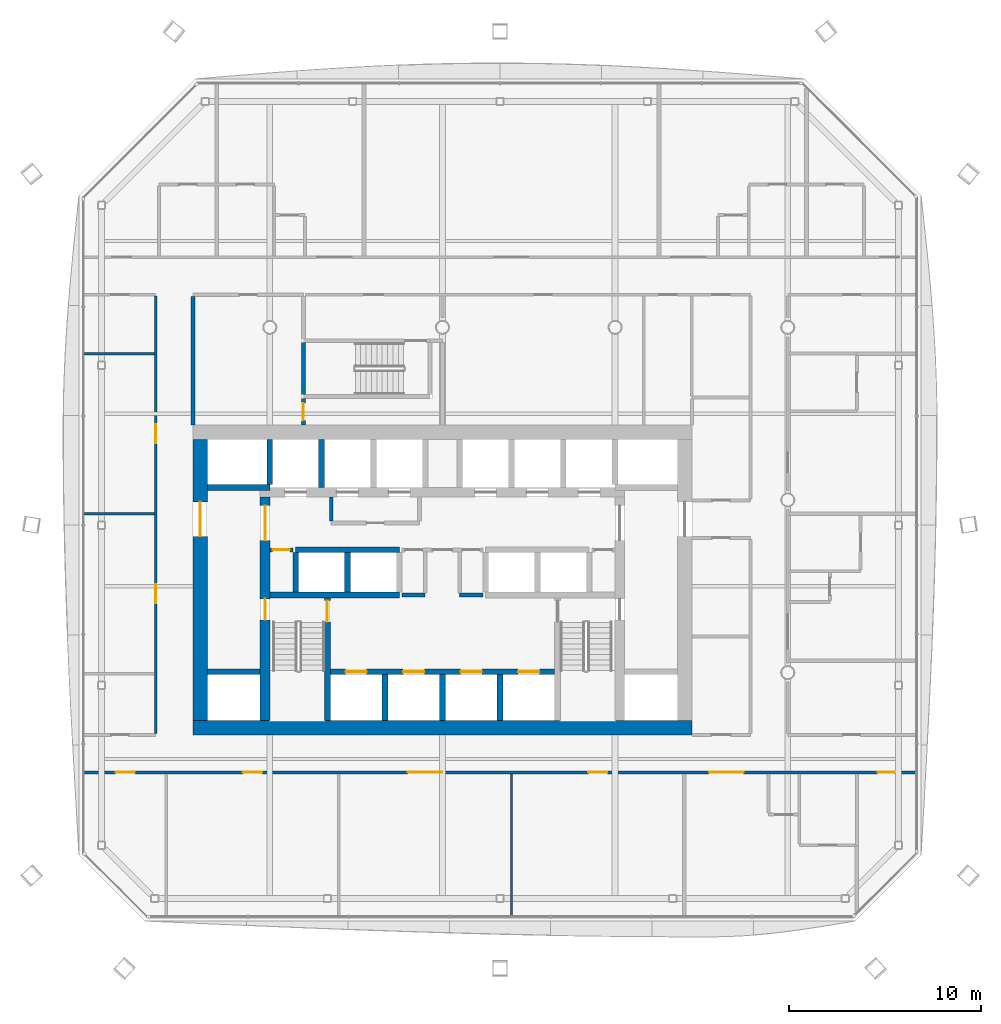
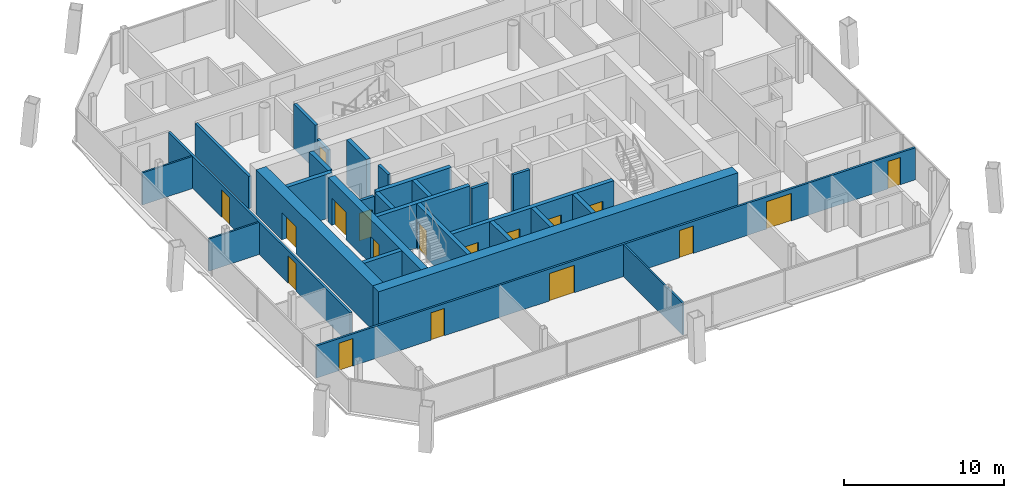
# One storey, part 11 of 17: 28 walls, 18 doors, 18 openings.
"""IFC4 building model written with IfcOpenShell, lengths in metres."""

from ifc_helpers import new_model, si_unit, direction, frame, frame_2d, origin, place, context, subcontext, project, spatial, rectangle, extrude, material, layer, layer_set, type_object, element, fill, save


model = new_model("IFC4")

# Units and contexts
model_context = context("Model", 3, precision=1e-05, world=origin(), true_north=direction((0.0, 1.0)))
body_context = subcontext(model_context, "Body", "Model", "MODEL_VIEW")
ifc_project = project(units=[si_unit("LENGTHUNIT", "METRE"), si_unit("AREAUNIT", "SQUARE_METRE"), si_unit("VOLUMEUNIT", "CUBIC_METRE"), si_unit("PLANEANGLEUNIT", "RADIAN"), si_unit("MASSUNIT", "GRAM", prefix="KILO")], contexts=[model_context])

# Site, building, storey
site_placement = place(None, origin())
site = spatial("IfcSite", under=ifc_project, at=site_placement, CompositionType="ELEMENT")
building_placement = place(site_placement, origin())
building = spatial("IfcBuilding", under=site, at=building_placement, Name="Tskaro Facet Tower", CompositionType="ELEMENT")
storey_placement = place(building_placement, frame((0.0, 0.0, 158.89990234375)))
storey = spatial("IfcBuildingStorey", under=building, at=storey_placement, Name="L39", CompositionType="ELEMENT", Elevation=158.89990234375)

# Wall
ifc_material_1 = material(Name="Concrete C60/75", Category="concrete")
ifc_layer_1 = layer(ifc_material_1, 0.300048828125, Name="Concrete C60/75")
ifc_layer_set_1 = layer_set([ifc_layer_1], Name="Concrete C60/75")
wall_type_1 = type_object("IfcWallType", Name="CORE-SHAFT", PredefinedType="SHEAR", material=ifc_layer_set_1)
wall_1_placement = place(storey_placement, frame((-12.25, -8.949951171875, 0.0), z_axis=(0.0, 0.0, 1.0), x_axis=(1.0, 0.0, 0.0)))
element("IfcWall", 1, at=wall_1_placement, inside=storey, type_object=wall_type_1, Name="Shaft wall W008", PredefinedType="SHEAR", context=body_context, shape_type="SweptSolid", body=[
    extrude(rectangle(XDim=2.75, YDim=0.300048828125, at=frame_2d((1.375, 0.0))), origin(), (0.0, 0.0, 1.0), 3.400146484375),
])

# Wall, openings, doors
wall_2_placement = place(storey_placement, frame((-5.85009765625, -8.949951171875, 0.0), z_axis=(0.0, 0.0, 1.0), x_axis=(1.0, 0.0, 0.0)))
wall_2 = element("IfcWall", 2, at=wall_2_placement, inside=storey, type_object=wall_type_1, Name="Shaft wall W009", PredefinedType="SHEAR", context=body_context, shape_type="SweptSolid", body=[
    extrude(rectangle(XDim=11.7001953125, YDim=0.300048828125, at=frame_2d((5.85009765625, 0.0))), origin(), (0.0, 0.0, 1.0), 3.400146484375),
])
opening_1_placement = place(wall_2_placement, frame((0.800048828125, 0.0, 0.0)))
opening_1 = element("IfcOpeningElement", 3, at=opening_1_placement, cuts=wall_2, Name="Opening LD-FF1", PredefinedType="OPENING", context=body_context, shape_type="SweptSolid", body=[
    extrude(rectangle(XDim=1.10009765625, YDim=2.10009765625, at=frame_2d((0.550048828125, 1.050048828125))), frame((0.0, 0.159912109375, 0.0), z_axis=(0.0, -1.0, 0.0), x_axis=(1.0, 0.0, 0.0)), (0.0, 0.0, 1.0), 0.320068359375),
])
opening_2_placement = place(wall_2_placement, frame((3.800048828125, 0.0, 0.0)))
opening_2 = element("IfcOpeningElement", 4, at=opening_2_placement, cuts=wall_2, Name="Opening LD-FF2", PredefinedType="OPENING", context=body_context, shape_type="SweptSolid", body=[
    extrude(rectangle(XDim=1.10009765625, YDim=2.10009765625, at=frame_2d((0.550048828125, 1.050048828125))), frame((0.0, 0.159912109375, 0.0), z_axis=(0.0, -1.0, 0.0), x_axis=(1.0, 0.0, 0.0)), (0.0, 0.0, 1.0), 0.320068359375),
])
opening_3_placement = place(wall_2_placement, frame((6.800048828125, 0.0, 0.0)))
opening_3 = element("IfcOpeningElement", 5, at=opening_3_placement, cuts=wall_2, Name="Opening LD-SV1", PredefinedType="OPENING", context=body_context, shape_type="SweptSolid", body=[
    extrude(rectangle(XDim=1.10009765625, YDim=2.10009765625, at=frame_2d((0.550048828125, 1.050048828125))), frame((0.0, 0.159912109375, 0.0), z_axis=(0.0, -1.0, 0.0), x_axis=(1.0, 0.0, 0.0)), (0.0, 0.0, 1.0), 0.320068359375),
])
opening_4_placement = place(wall_2_placement, frame((9.800048828125, 0.0, 0.0)))
opening_4 = element("IfcOpeningElement", 6, at=opening_4_placement, cuts=wall_2, Name="Opening LD-SV2", PredefinedType="OPENING", context=body_context, shape_type="SweptSolid", body=[
    extrude(rectangle(XDim=1.10009765625, YDim=2.10009765625, at=frame_2d((0.550048828125, 1.050048828125))), frame((0.0, 0.159912109375, 0.0), z_axis=(0.0, -1.0, 0.0), x_axis=(1.0, 0.0, 0.0)), (0.0, 0.0, 1.0), 0.320068359375),
])
ifc_material_2 = material(Name="Stainless steel", Category="steel")
door_type_1 = type_object("IfcDoorType", Name="D-LANDING", OperationType="NOTDEFINED", PredefinedType="DOOR", material=ifc_material_2)
door_1_placement = place(opening_1_placement, origin())
door_1 = element("IfcDoor", 7, at=door_1_placement, inside=storey, type_object=door_type_1, Name="Landing door FF1", OperationType="DOUBLE_DOOR_SLIDING", OverallHeight=2.10009765625, OverallWidth=1.10009765625, PredefinedType="DOOR", context=body_context, shape_type="SweptSolid", body=[
    extrude(rectangle(XDim=1.10009765625, YDim=2.10009765625, at=frame_2d((0.550048828125, 1.050048828125))), frame((0.0, 0.02490234375, 0.0), z_axis=(0.0, -1.0, 0.0), x_axis=(1.0, 0.0, 0.0)), (0.0, 0.0, 1.0), 0.050048828125),
])
fill(opening_1, door_1)
door_2_placement = place(opening_2_placement, origin())
door_2 = element("IfcDoor", 8, at=door_2_placement, inside=storey, type_object=door_type_1, Name="Landing door FF2", OperationType="DOUBLE_DOOR_SLIDING", OverallHeight=2.10009765625, OverallWidth=1.10009765625, PredefinedType="DOOR", context=body_context, shape_type="SweptSolid", body=[
    extrude(rectangle(XDim=1.10009765625, YDim=2.10009765625, at=frame_2d((0.550048828125, 1.050048828125))), frame((0.0, 0.02490234375, 0.0), z_axis=(0.0, -1.0, 0.0), x_axis=(1.0, 0.0, 0.0)), (0.0, 0.0, 1.0), 0.050048828125),
])
fill(opening_2, door_2)
door_3_placement = place(opening_3_placement, origin())
door_3 = element("IfcDoor", 9, at=door_3_placement, inside=storey, type_object=door_type_1, Name="Landing door SV1", OperationType="DOUBLE_DOOR_SLIDING", OverallHeight=2.10009765625, OverallWidth=1.10009765625, PredefinedType="DOOR", context=body_context, shape_type="SweptSolid", body=[
    extrude(rectangle(XDim=1.10009765625, YDim=2.10009765625, at=frame_2d((0.550048828125, 1.050048828125))), frame((0.0, 0.02490234375, 0.0), z_axis=(0.0, -1.0, 0.0), x_axis=(1.0, 0.0, 0.0)), (0.0, 0.0, 1.0), 0.050048828125),
])
fill(opening_3, door_3)
door_4_placement = place(opening_4_placement, origin())
door_4 = element("IfcDoor", 10, at=door_4_placement, inside=storey, type_object=door_type_1, Name="Landing door SV2", OperationType="DOUBLE_DOOR_SLIDING", OverallHeight=2.10009765625, OverallWidth=1.10009765625, PredefinedType="DOOR", context=body_context, shape_type="SweptSolid", body=[
    extrude(rectangle(XDim=1.10009765625, YDim=2.10009765625, at=frame_2d((0.550048828125, 1.050048828125))), frame((0.0, 0.02490234375, 0.0), z_axis=(0.0, -1.0, 0.0), x_axis=(1.0, 0.0, 0.0)), (0.0, 0.0, 1.0), 0.050048828125),
])
fill(opening_4, door_4)

# Walls
wall_3_placement = place(storey_placement, frame((-9.0, -4.949951171875, 0.0), z_axis=(0.0, 0.0, 1.0), x_axis=(1.0, 0.0, 0.0)))
element("IfcWall", 11, at=wall_3_placement, inside=storey, type_object=wall_type_1, Name="Shaft wall W014", PredefinedType="SHEAR", context=body_context, shape_type="SweptSolid", body=[
    extrude(rectangle(XDim=6.75, YDim=0.300048828125, at=frame_2d((3.375, 0.0))), origin(), (0.0, 0.0, 1.0), 3.400146484375),
])
wall_4_placement = place(storey_placement, frame((-7.64990234375, -2.60009765625, 0.0), z_axis=(0.0, 0.0, 1.0), x_axis=(1.0, 0.0, 0.0)))
element("IfcWall", 12, at=wall_4_placement, inside=storey, type_object=wall_type_1, Name="Shaft wall W020", PredefinedType="SHEAR", context=body_context, shape_type="SweptSolid", body=[
    extrude(rectangle(XDim=5.39990234375, YDim=0.300048828125, at=frame_2d((2.699951171875, 0.0))), origin(), (0.0, 0.0, 1.0), 3.400146484375),
])
wall_5_placement = place(storey_placement, frame((-9.0, 0.64990234375, 0.0), z_axis=(0.0, 0.0, 1.0), x_axis=(-1.0, 0.0, 0.0)))
element("IfcWall", 13, at=wall_5_placement, inside=storey, type_object=wall_type_1, Name="Shaft wall W029", PredefinedType="SHEAR", context=body_context, shape_type="SweptSolid", body=[
    extrude(rectangle(XDim=3.25, YDim=0.300048828125, at=frame_2d((1.625, 0.0))), origin(), (0.0, 0.0, 1.0), 3.400146484375),
])
wall_6_placement = place(storey_placement, frame((-9.0, 0.800048828125, 0.0), z_axis=(0.0, 0.0, 1.0), x_axis=(0.0, 1.0, 0.0)))
element("IfcWall", 14, at=wall_6_placement, inside=storey, type_object=wall_type_1, Name="Shaft wall W053", PredefinedType="SHEAR", context=body_context, shape_type="SweptSolid", body=[
    extrude(rectangle(XDim=2.349853515625, YDim=0.300048828125, at=frame_2d((1.1748046875, 0.0))), origin(), (0.0, 0.0, 1.0), 3.400146484375),
])
wall_7_placement = place(storey_placement, frame((-7.64990234375, -4.800048828125, 0.0), z_axis=(0.0, 0.0, 1.0), x_axis=(0.0, 1.0, 0.0)))
element("IfcWall", 15, at=wall_7_placement, inside=storey, type_object=wall_type_1, Name="Shaft wall W055", PredefinedType="SHEAR", context=body_context, shape_type="SweptSolid", body=[
    extrude(rectangle(XDim=2.050048828125, YDim=0.300048828125, at=frame_2d((1.02490234375, 0.0))), origin(), (0.0, 0.0, 1.0), 3.400146484375),
])
wall_8_placement = place(storey_placement, frame((-6.300048828125, 0.64990234375, 0.0), z_axis=(0.0, 0.0, 1.0), x_axis=(0.0, 1.0, 0.0)))
element("IfcWall", 16, at=wall_8_placement, inside=storey, type_object=wall_type_1, Name="Shaft wall W060", PredefinedType="SHEAR", context=body_context, shape_type="SweptSolid", body=[
    extrude(rectangle(XDim=2.5, YDim=0.300048828125, at=frame_2d((1.25, 0.0))), origin(), (0.0, 0.0, 1.0), 3.400146484375),
])

# Wall, opening, door
wall_9_placement = place(storey_placement, frame((-6.0, -11.5, 0.0), z_axis=(0.0, 0.0, 1.0), x_axis=(0.0, 1.0, 0.0)))
wall_9 = element("IfcWall", 17, at=wall_9_placement, inside=storey, type_object=wall_type_1, Name="Shaft wall W061", PredefinedType="SHEAR", context=body_context, shape_type="SweptSolid", body=[
    extrude(rectangle(XDim=6.39990234375, YDim=0.300048828125, at=frame_2d((3.199951171875, 0.0))), origin(), (0.0, 0.0, 1.0), 3.400146484375),
])
opening_5_placement = place(wall_9_placement, frame((5.14990234375, 0.0, 0.0)))
opening_5 = element("IfcOpeningElement", 18, at=opening_5_placement, cuts=wall_9, Name="Opening ST-1-D1", PredefinedType="OPENING", context=body_context, shape_type="SweptSolid", body=[
    extrude(rectangle(XDim=1.10009765625, YDim=2.10009765625, at=frame_2d((0.550048828125, 1.050048828125))), frame((0.0, 0.159912109375, 0.0), z_axis=(0.0, -1.0, 0.0), x_axis=(1.0, 0.0, 0.0)), (0.0, 0.0, 1.0), 0.320068359375),
])
ifc_material_3 = material(Name="Steel", Category="steel")
door_type_2 = type_object("IfcDoorType", Name="D-STAIR", OperationType="NOTDEFINED", PredefinedType="DOOR", material=ifc_material_3)
door_5_placement = place(opening_5_placement, origin())
door_5 = element("IfcDoor", 19, at=door_5_placement, inside=storey, type_object=door_type_2, Name="Stair door 1", OperationType="SINGLE_SWING_LEFT", OverallHeight=2.10009765625, OverallWidth=1.10009765625, PredefinedType="DOOR", context=body_context, shape_type="SweptSolid", body=[
    extrude(rectangle(XDim=1.10009765625, YDim=2.10009765625, at=frame_2d((0.550048828125, 1.050048828125))), frame((0.0, 0.02490234375, 0.0), z_axis=(0.0, -1.0, 0.0), x_axis=(1.0, 0.0, 0.0)), (0.0, 0.0, 1.0), 0.050048828125),
])
fill(opening_5, door_5)

# Walls
wall_10_placement = place(storey_placement, frame((-4.949951171875, -4.800048828125, 0.0), z_axis=(0.0, 0.0, 1.0), x_axis=(0.0, 1.0, 0.0)))
element("IfcWall", 20, at=wall_10_placement, inside=storey, type_object=wall_type_1, Name="Shaft wall W064", PredefinedType="SHEAR", context=body_context, shape_type="SweptSolid", body=[
    extrude(rectangle(XDim=2.050048828125, YDim=0.300048828125, at=frame_2d((1.02490234375, 0.0))), origin(), (0.0, 0.0, 1.0), 3.400146484375),
])
for number, where, z_axis, x_axis, name in (
    (21, (-3.0, -11.5, 0.0), (0.0, 0.0, 1.0), (0.0, 1.0, 0.0), "Shaft wall W067"),
    (22, (0.0, -11.5, 0.0), (0.0, 0.0, 1.0), (0.0, 1.0, 0.0), "Shaft wall W073"),
    (23, (3.0, -11.5, 0.0), (0.0, 0.0, 1.0), (0.0, 1.0, 0.0), "Shaft wall W079"),
):
    element("IfcWall", number, at=place(storey_placement, frame(where, z_axis=z_axis, x_axis=x_axis)), inside=storey, type_object=wall_type_1, Name=name, PredefinedType="SHEAR", context=body_context, shape_type="SweptSolid", body=[
        extrude(rectangle(XDim=2.39990234375, YDim=0.300048828125, at=frame_2d((1.199951171875, 0.0))), origin(), (0.0, 0.0, 1.0), 3.400146484375),
    ])
ifc_material_4 = material(Name="Concrete C20/25", Category="concrete")
ifc_layer_2 = layer(ifc_material_4, 0.199951171875, Name="Concrete C20/25")
ifc_layer_set_2 = layer_set([ifc_layer_2], Name="Concrete C20/25")
wall_type_2 = type_object("IfcWallType", Name="CORE-WALL", PredefinedType="SOLIDWALL", material=ifc_layer_set_2)
for number, where, z_axis, x_axis, name in (
    (24, (-2.10009765625, -4.949951171875, 0.0), (0.0, 0.0, 1.0), (1.0, 0.0, 0.0), "Core room wall W015"),
    (25, (0.89990234375, -4.949951171875, 0.0), (0.0, 0.0, 1.0), (1.0, 0.0, 0.0), "Core room wall W016"),
):
    element("IfcWall", number, at=place(storey_placement, frame(where, z_axis=z_axis, x_axis=x_axis)), inside=storey, type_object=wall_type_2, Name=name, PredefinedType="SOLIDWALL", context=body_context, shape_type="SweptSolid", body=[
        extrude(rectangle(XDim=1.2001953125, YDim=0.199951171875, at=frame_2d((0.60009765625, 0.0))), origin(), (0.0, 0.0, 1.0), 3.10009765625),
    ])

# Wall, opening, door
wall_11_placement = place(storey_placement, frame((-7.800048828125, -2.60009765625, 0.0), z_axis=(0.0, 0.0, 1.0), x_axis=(-1.0, 0.0, 0.0)))
wall_11 = element("IfcWall", 26, at=wall_11_placement, inside=storey, type_object=wall_type_2, Name="Core room wall W019", PredefinedType="SOLIDWALL", context=body_context, shape_type="SweptSolid", body=[
    extrude(rectangle(XDim=1.199951171875, YDim=0.199951171875, at=frame_2d((0.60009765625, 0.0))), origin(), (0.0, 0.0, 1.0), 3.10009765625),
])
opening_6_placement = place(wall_11_placement, frame((0.14990234375, 0.0, 0.0)))
opening_6 = element("IfcOpeningElement", 27, at=opening_6_placement, cuts=wall_11, Name="Opening T11p-D17", PredefinedType="OPENING", context=body_context, shape_type="SweptSolid", body=[
    extrude(rectangle(XDim=0.89990234375, YDim=2.10009765625, at=frame_2d((0.449951171875, 1.050048828125))), frame((0.0, 0.10986328125, 0.0), z_axis=(0.0, -1.0, 0.0), x_axis=(1.0, 0.0, 0.0)), (0.0, 0.0, 1.0), 0.219970703125),
])
ifc_material_5 = material(Name="Timber", Category="wood")
door_type_3 = type_object("IfcDoorType", Name="D-ROOM", OperationType="NOTDEFINED", PredefinedType="DOOR", material=ifc_material_5)
door_6_placement = place(opening_6_placement, origin())
door_6 = element("IfcDoor", 28, at=door_6_placement, inside=storey, type_object=door_type_3, Name="Door T11p-D17", OperationType="SINGLE_SWING_RIGHT", OverallHeight=2.10009765625, OverallWidth=0.89990234375, PredefinedType="DOOR", context=body_context, shape_type="SweptSolid", body=[
    extrude(rectangle(XDim=0.89990234375, YDim=2.10009765625, at=frame_2d((0.449951171875, 1.050048828125))), frame((0.0, 0.02490234375, 0.0), z_axis=(0.0, -1.0, 0.0), x_axis=(1.0, 0.0, 0.0)), (0.0, 0.0, 1.0), 0.050048828125),
])
fill(opening_6, door_6)

# Wall
wall_12_placement = place(storey_placement, frame((-5.800048828125, -1.10009765625, 0.0), z_axis=(0.0, 0.0, 1.0), x_axis=(0.0, 1.0, 0.0)))
element("IfcWall", 29, at=wall_12_placement, inside=storey, type_object=wall_type_2, Name="Core room wall W062", PredefinedType="SOLIDWALL", context=body_context, shape_type="SweptSolid", body=[
    extrude(rectangle(XDim=1.25, YDim=0.199951171875, at=frame_2d((0.625, 0.0))), origin(), (0.0, 0.0, 1.0), 3.10009765625),
])

# Wall, openings, doors
ifc_material_6 = material(Name="Concrete C40/50", Category="concrete")
ifc_layer_3 = layer(ifc_material_6, 0.5, Name="Concrete C40/50")
ifc_layer_set_3 = layer_set([ifc_layer_3], Name="Concrete C40/50")
wall_type_3 = type_object("IfcWallType", Name="Core wall 500", PredefinedType="SHEAR", material=ifc_layer_set_3)
wall_13_placement = place(storey_placement, frame((-9.25, -11.5, 0.0), z_axis=(0.0, 0.0, 1.0), x_axis=(0.0, 1.0, 0.0)))
wall_13 = element("IfcWall", 30, at=wall_13_placement, inside=storey, type_object=wall_type_3, Name="Core wall CW-Z3W", PredefinedType="SHEAR", context=body_context, shape_type="SweptSolid", body=[
    extrude(rectangle(XDim=11.64990234375, YDim=0.5, at=frame_2d((5.824951171875, 0.0))), origin(), (0.0, 0.0, 1.0), 3.400146484375),
])
opening_7_placement = place(wall_13_placement, frame((9.39990234375, 0.0, 0.0)))
opening_7 = element("IfcOpeningElement", 31, at=opening_7_placement, cuts=wall_13, Name="Opening T11p-D23", PredefinedType="OPENING", context=body_context, shape_type="SweptSolid", body=[
    extrude(rectangle(XDim=1.800048828125, YDim=2.10009765625, at=frame_2d((0.89990234375, 1.050048828125))), frame((0.0, 0.260009765625, 0.0), z_axis=(0.0, -1.0, 0.0), x_axis=(1.0, 0.0, 0.0)), (0.0, 0.0, 1.0), 0.52001953125),
])
opening_8_placement = place(wall_13_placement, frame((5.25, 0.0, 0.0)))
opening_8 = element("IfcOpeningElement", 32, at=opening_8_placement, cuts=wall_13, Name="Opening ST-1-D2", PredefinedType="OPENING", context=body_context, shape_type="SweptSolid", body=[
    extrude(rectangle(XDim=1.10009765625, YDim=2.10009765625, at=frame_2d((0.550048828125, 1.050048828125))), frame((0.0, 0.260009765625, 0.0), z_axis=(0.0, -1.0, 0.0), x_axis=(1.0, 0.0, 0.0)), (0.0, 0.0, 1.0), 0.52001953125),
])
door_type_4 = type_object("IfcDoorType", Name="D-CORE-PAIR", OperationType="NOTDEFINED", PredefinedType="DOOR", material=ifc_material_3)
door_7_placement = place(opening_7_placement, origin())
door_7 = element("IfcDoor", 33, at=door_7_placement, inside=storey, type_object=door_type_4, Name="Door T11p-D23", OperationType="DOUBLE_DOOR_SINGLE_SWING", OverallHeight=2.10009765625, OverallWidth=1.800048828125, PredefinedType="DOOR", context=body_context, shape_type="SweptSolid", body=[
    extrude(rectangle(XDim=1.800048828125, YDim=2.10009765625, at=frame_2d((0.89990234375, 1.050048828125))), frame((0.0, 0.02490234375, 0.0), z_axis=(0.0, -1.0, 0.0), x_axis=(1.0, 0.0, 0.0)), (0.0, 0.0, 1.0), 0.050048828125),
])
fill(opening_7, door_7)
door_8_placement = place(opening_8_placement, origin())
door_8 = element("IfcDoor", 34, at=door_8_placement, inside=storey, type_object=door_type_2, Name="Stair door 1 west", OperationType="SINGLE_SWING_LEFT", OverallHeight=2.10009765625, OverallWidth=1.10009765625, PredefinedType="DOOR", context=body_context, shape_type="SweptSolid", body=[
    extrude(rectangle(XDim=1.10009765625, YDim=2.10009765625, at=frame_2d((0.550048828125, 1.050048828125))), frame((0.0, 0.02490234375, 0.0), z_axis=(0.0, -1.0, 0.0), x_axis=(1.0, 0.0, 0.0)), (0.0, 0.0, 1.0), 0.050048828125),
])
fill(opening_8, door_8)

# Wall
ifc_material_7 = material(Name="Concrete C50/60", Category="concrete")
ifc_layer_4 = layer(ifc_material_7, 0.75, Name="Concrete C50/60")
ifc_layer_set_4 = layer_set([ifc_layer_4], Name="Concrete C50/60")
wall_type_4 = type_object("IfcWallType", Name="Core wall 750", PredefinedType="SHEAR", material=ifc_layer_set_4)
wall_14_placement = place(storey_placement, frame((-13.0, -11.875, 0.0), z_axis=(0.0, 0.0, 1.0), x_axis=(1.0, 0.0, 0.0)))
element("IfcWall", 35, at=wall_14_placement, inside=storey, type_object=wall_type_4, Name="Core wall CW-Z2S", PredefinedType="SHEAR", context=body_context, shape_type="SweptSolid", body=[
    extrude(rectangle(XDim=26.0, YDim=0.75, at=frame_2d((13.0, 0.0))), origin(), (0.0, 0.0, 1.0), 3.400146484375),
])

# Wall, opening, door
wall_15_placement = place(storey_placement, frame((-12.625, -11.5, 0.0), z_axis=(0.0, 0.0, 1.0), x_axis=(0.0, 1.0, 0.0)))
wall_15 = element("IfcWall", 36, at=wall_15_placement, inside=storey, type_object=wall_type_4, Name="Core wall CW-Z2W", PredefinedType="SHEAR", context=body_context, shape_type="SweptSolid", body=[
    extrude(rectangle(XDim=14.64990234375, YDim=0.75, at=frame_2d((7.324951171875, 0.0))), origin(), (0.0, 0.0, 1.0), 3.400146484375),
])
opening_9_placement = place(wall_15_placement, frame((9.60009765625, 0.0, 0.0)))
opening_9 = element("IfcOpeningElement", 37, at=opening_9_placement, cuts=wall_15, Name="Opening T11p-D26", PredefinedType="OPENING", context=body_context, shape_type="SweptSolid", body=[
    extrude(rectangle(XDim=1.800048828125, YDim=2.10009765625, at=frame_2d((0.89990234375, 1.050048828125))), frame((0.0, 0.385009765625, 0.0), z_axis=(0.0, -1.0, 0.0), x_axis=(1.0, 0.0, 0.0)), (0.0, 0.0, 1.0), 0.77001953125),
])
door_9_placement = place(opening_9_placement, origin())
door_9 = element("IfcDoor", 38, at=door_9_placement, inside=storey, type_object=door_type_4, Name="Door T11p-D26", OperationType="DOUBLE_DOOR_SINGLE_SWING", OverallHeight=2.10009765625, OverallWidth=1.800048828125, PredefinedType="DOOR", context=body_context, shape_type="SweptSolid", body=[
    extrude(rectangle(XDim=1.800048828125, YDim=2.10009765625, at=frame_2d((0.89990234375, 1.050048828125))), frame((0.0, 0.02490234375, 0.0), z_axis=(0.0, -1.0, 0.0), x_axis=(1.0, 0.0, 0.0)), (0.0, 0.0, 1.0), 0.050048828125),
])
fill(opening_9, door_9)

# Walls
ifc_material_8 = material(Name="Gypsum board on steel studs", Category="steel")
ifc_layer_5 = layer(ifc_material_8, 0.125, Name="Gypsum board on steel studs")
ifc_layer_set_5 = layer_set([ifc_layer_5], Name="Gypsum board on steel studs")
wall_type_5 = type_object("IfcWallType", Name="PART", PredefinedType="PARTITIONING", material=ifc_layer_set_5)
for number, where, z_axis, x_axis, name in (
    (39, (-18.674072265625, -0.715087890625, 0.0), (0.0, 0.0, 1.0), (1.0, 0.0, 0.0), "Partition W027"),
    (40, (-18.674072265625, 7.6259765625, 0.0), (0.0, 0.0, 1.0), (1.0, 0.0, 0.0), "Partition W034"),
):
    element("IfcWall", number, at=place(storey_placement, frame(where, z_axis=z_axis, x_axis=x_axis)), inside=storey, type_object=wall_type_5, Name=name, PredefinedType="PARTITIONING", context=body_context, shape_type="SweptSolid", body=[
        extrude(rectangle(XDim=3.649169921875, YDim=0.125, at=frame_2d((1.82470703125, 0.0))), origin(), (0.0, 0.0, 1.0), 2.460205078125),
    ])
wall_16_placement = place(storey_placement, frame((3.60009765625, -21.674072265625, 0.0), z_axis=(0.0, 0.0, 1.0), x_axis=(0.0, 1.0, 0.0)))
element("IfcWall", 41, at=wall_16_placement, inside=storey, type_object=wall_type_5, Name="Partition W080", PredefinedType="PARTITIONING", context=body_context, shape_type="SweptSolid", body=[
    extrude(rectangle(XDim=7.399169921875, YDim=0.125, at=frame_2d((3.69970703125, 0.0))), origin(), (0.0, 0.0, 1.0), 2.460205078125),
])

# Wall, openings, doors
ifc_layer_6 = layer(ifc_material_8, 0.14990234375, Name="Gypsum board on steel studs")
ifc_layer_set_6 = layer_set([ifc_layer_6], Name="Gypsum board on steel studs")
wall_type_6 = type_object("IfcWallType", Name="PART-CORR", PredefinedType="PARTITIONING", material=ifc_layer_set_6)
wall_17_placement = place(storey_placement, frame((24.674072265625, -14.199951171875, 0.0), z_axis=(0.0, 0.0, 1.0), x_axis=(-1.0, 0.0, 0.0)))
wall_17 = element("IfcWall", 42, at=wall_17_placement, inside=storey, type_object=wall_type_6, Name="Corridor wall W003", PredefinedType="PARTITIONING", context=body_context, shape_type="SweptSolid", body=[
    extrude(rectangle(XDim=43.34814453125, YDim=0.14990234375, at=frame_2d((21.674072265625, 0.0))), origin(), (0.0, 0.0, 1.0), 2.460205078125),
])
opening_10_placement = place(wall_17_placement, frame((40.71044921875, 0.0, 0.0)))
opening_10 = element("IfcOpeningElement", 43, at=opening_10_placement, cuts=wall_17, Name="Opening T11p-D03", PredefinedType="OPENING", context=body_context, shape_type="SweptSolid", body=[
    extrude(rectangle(XDim=1.0, YDim=2.10009765625, at=frame_2d((0.5, 1.050048828125))), frame((0.0, 0.0849609375, 0.0), z_axis=(0.0, -1.0, 0.0), x_axis=(1.0, 0.0, 0.0)), (0.0, 0.0, 1.0), 0.169921875),
])
opening_11_placement = place(wall_17_placement, frame((34.073486328125, 0.0, 0.0)))
opening_11 = element("IfcOpeningElement", 44, at=opening_11_placement, cuts=wall_17, Name="Opening T11p-D04", PredefinedType="OPENING", context=body_context, shape_type="SweptSolid", body=[
    extrude(rectangle(XDim=1.0, YDim=2.10009765625, at=frame_2d((0.5, 1.050048828125))), frame((0.0, 0.0849609375, 0.0), z_axis=(0.0, -1.0, 0.0), x_axis=(1.0, 0.0, 0.0)), (0.0, 0.0, 1.0), 0.169921875),
])
opening_12_placement = place(wall_17_placement, frame((24.674072265625, 0.0, 0.0)))
opening_12 = element("IfcOpeningElement", 45, at=opening_12_placement, cuts=wall_17, Name="Opening T11p-D05", PredefinedType="OPENING", context=body_context, shape_type="SweptSolid", body=[
    extrude(rectangle(XDim=1.800048828125, YDim=2.10009765625, at=frame_2d((0.89990234375, 1.050048828125))), frame((0.0, 0.0849609375, 0.0), z_axis=(0.0, -1.0, 0.0), x_axis=(1.0, 0.0, 0.0)), (0.0, 0.0, 1.0), 0.169921875),
])
opening_13_placement = place(wall_17_placement, frame((16.073974609375, 0.0, 0.0)))
opening_13 = element("IfcOpeningElement", 46, at=opening_13_placement, cuts=wall_17, Name="Opening T11p-D06", PredefinedType="OPENING", context=body_context, shape_type="SweptSolid", body=[
    extrude(rectangle(XDim=1.0, YDim=2.10009765625, at=frame_2d((0.5, 1.050048828125))), frame((0.0, 0.0849609375, 0.0), z_axis=(0.0, -1.0, 0.0), x_axis=(1.0, 0.0, 0.0)), (0.0, 0.0, 1.0), 0.169921875),
])
opening_14_placement = place(wall_17_placement, frame((8.974609375, 0.0, 0.0)))
opening_14 = element("IfcOpeningElement", 47, at=opening_14_placement, cuts=wall_17, Name="Opening T11p-D07", PredefinedType="OPENING", context=body_context, shape_type="SweptSolid", body=[
    extrude(rectangle(XDim=1.800048828125, YDim=2.10009765625, at=frame_2d((0.89990234375, 1.050048828125))), frame((0.0, 0.0849609375, 0.0), z_axis=(0.0, -1.0, 0.0), x_axis=(1.0, 0.0, 0.0)), (0.0, 0.0, 1.0), 0.169921875),
])
opening_15_placement = place(wall_17_placement, frame((1.08740234375, 0.0, 0.0)))
opening_15 = element("IfcOpeningElement", 48, at=opening_15_placement, cuts=wall_17, Name="Opening T11p-D08", PredefinedType="OPENING", context=body_context, shape_type="SweptSolid", body=[
    extrude(rectangle(XDim=0.89990234375, YDim=2.10009765625, at=frame_2d((0.449951171875, 1.050048828125))), frame((0.0, 0.0849609375, 0.0), z_axis=(0.0, -1.0, 0.0), x_axis=(1.0, 0.0, 0.0)), (0.0, 0.0, 1.0), 0.169921875),
])
ifc_material_9 = material(Name="Glass", Category="glass")
door_type_5 = type_object("IfcDoorType", Name="D-ENTRY-PAIR", OperationType="NOTDEFINED", PredefinedType="DOOR", material=ifc_material_9)
door_10_placement = place(opening_12_placement, origin())
door_10 = element("IfcDoor", 49, at=door_10_placement, inside=storey, type_object=door_type_5, Name="Door T11p-D05", OperationType="DOUBLE_DOOR_SINGLE_SWING", OverallHeight=2.10009765625, OverallWidth=1.800048828125, PredefinedType="DOOR", context=body_context, shape_type="SweptSolid", body=[
    extrude(rectangle(XDim=1.800048828125, YDim=2.10009765625, at=frame_2d((0.89990234375, 1.050048828125))), frame((0.0, 0.02490234375, 0.0), z_axis=(0.0, -1.0, 0.0), x_axis=(1.0, 0.0, 0.0)), (0.0, 0.0, 1.0), 0.050048828125),
])
fill(opening_12, door_10)
door_11_placement = place(opening_15_placement, origin())
door_11 = element("IfcDoor", 50, at=door_11_placement, inside=storey, type_object=door_type_3, Name="Door T11p-D08", OperationType="SINGLE_SWING_RIGHT", OverallHeight=2.10009765625, OverallWidth=0.89990234375, PredefinedType="DOOR", context=body_context, shape_type="SweptSolid", body=[
    extrude(rectangle(XDim=0.89990234375, YDim=2.10009765625, at=frame_2d((0.449951171875, 1.050048828125))), frame((0.0, 0.02490234375, 0.0), z_axis=(0.0, -1.0, 0.0), x_axis=(1.0, 0.0, 0.0)), (0.0, 0.0, 1.0), 0.050048828125),
])
fill(opening_15, door_11)
door_type_6 = type_object("IfcDoorType", Name="D-ROOM-WIDE", OperationType="NOTDEFINED", PredefinedType="DOOR", material=ifc_material_5)
door_12_placement = place(opening_10_placement, origin())
door_12 = element("IfcDoor", 51, at=door_12_placement, inside=storey, type_object=door_type_6, Name="Door T11p-D03", OperationType="SINGLE_SWING_RIGHT", OverallHeight=2.10009765625, OverallWidth=1.0, PredefinedType="DOOR", context=body_context, shape_type="SweptSolid", body=[
    extrude(rectangle(XDim=1.0, YDim=2.10009765625, at=frame_2d((0.5, 1.050048828125))), frame((0.0, 0.02490234375, 0.0), z_axis=(0.0, -1.0, 0.0), x_axis=(1.0, 0.0, 0.0)), (0.0, 0.0, 1.0), 0.050048828125),
])
fill(opening_10, door_12)
door_13_placement = place(opening_11_placement, origin())
door_13 = element("IfcDoor", 52, at=door_13_placement, inside=storey, type_object=door_type_6, Name="Door T11p-D04", OperationType="SINGLE_SWING_RIGHT", OverallHeight=2.10009765625, OverallWidth=1.0, PredefinedType="DOOR", context=body_context, shape_type="SweptSolid", body=[
    extrude(rectangle(XDim=1.0, YDim=2.10009765625, at=frame_2d((0.5, 1.050048828125))), frame((0.0, 0.02490234375, 0.0), z_axis=(0.0, -1.0, 0.0), x_axis=(1.0, 0.0, 0.0)), (0.0, 0.0, 1.0), 0.050048828125),
])
fill(opening_11, door_13)
door_14_placement = place(opening_13_placement, origin())
door_14 = element("IfcDoor", 53, at=door_14_placement, inside=storey, type_object=door_type_6, Name="Door T11p-D06", OperationType="SINGLE_SWING_RIGHT", OverallHeight=2.10009765625, OverallWidth=1.0, PredefinedType="DOOR", context=body_context, shape_type="SweptSolid", body=[
    extrude(rectangle(XDim=1.0, YDim=2.10009765625, at=frame_2d((0.5, 1.050048828125))), frame((0.0, 0.02490234375, 0.0), z_axis=(0.0, -1.0, 0.0), x_axis=(1.0, 0.0, 0.0)), (0.0, 0.0, 1.0), 0.050048828125),
])
fill(opening_13, door_14)
door_type_7 = type_object("IfcDoorType", Name="D-SUITE-PAIR", OperationType="NOTDEFINED", PredefinedType="DOOR", material=ifc_material_5)
door_15_placement = place(opening_14_placement, origin())
door_15 = element("IfcDoor", 54, at=door_15_placement, inside=storey, type_object=door_type_7, Name="Door T11p-D07", OperationType="DOUBLE_DOOR_SINGLE_SWING", OverallHeight=2.10009765625, OverallWidth=1.800048828125, PredefinedType="DOOR", context=body_context, shape_type="SweptSolid", body=[
    extrude(rectangle(XDim=1.800048828125, YDim=2.10009765625, at=frame_2d((0.89990234375, 1.050048828125))), frame((0.0, 0.02490234375, 0.0), z_axis=(0.0, -1.0, 0.0), x_axis=(1.0, 0.0, 0.0)), (0.0, 0.0, 1.0), 0.050048828125),
])
fill(opening_14, door_15)

wall_18_placement = place(storey_placement, frame((-14.949951171875, -12.175048828125, 0.0), z_axis=(0.0, 0.0, 1.0), x_axis=(0.0, 1.0, 0.0)))
wall_18 = element("IfcWall", 55, at=wall_18_placement, inside=storey, type_object=wall_type_6, Name="Corridor wall W048", PredefinedType="PARTITIONING", context=body_context, shape_type="SweptSolid", body=[
    extrude(rectangle(XDim=22.800048828125, YDim=0.14990234375, at=frame_2d((11.39990234375, 0.0))), origin(), (0.0, 0.0, 1.0), 2.460205078125),
])
opening_16_placement = place(wall_18_placement, frame((6.7890625, 0.0, 0.0)))
opening_16 = element("IfcOpeningElement", 56, at=opening_16_placement, cuts=wall_18, Name="Opening T11p-D15", PredefinedType="OPENING", context=body_context, shape_type="SweptSolid", body=[
    extrude(rectangle(XDim=1.0, YDim=2.10009765625, at=frame_2d((0.5, 1.050048828125))), frame((0.0, 0.0849609375, 0.0), z_axis=(0.0, -1.0, 0.0), x_axis=(1.0, 0.0, 0.0)), (0.0, 0.0, 1.0), 0.169921875),
])
opening_17_placement = place(wall_18_placement, frame((15.130615234375, 0.0, 0.0)))
opening_17 = element("IfcOpeningElement", 57, at=opening_17_placement, cuts=wall_18, Name="Opening T11p-D32", PredefinedType="OPENING", context=body_context, shape_type="SweptSolid", body=[
    extrude(rectangle(XDim=1.0, YDim=2.10009765625, at=frame_2d((0.5, 1.050048828125))), frame((0.0, 0.0849609375, 0.0), z_axis=(0.0, -1.0, 0.0), x_axis=(1.0, 0.0, 0.0)), (0.0, 0.0, 1.0), 0.169921875),
])
door_16_placement = place(opening_16_placement, origin())
door_16 = element("IfcDoor", 58, at=door_16_placement, inside=storey, type_object=door_type_6, Name="Door T11p-D15", OperationType="SINGLE_SWING_LEFT", OverallHeight=2.10009765625, OverallWidth=1.0, PredefinedType="DOOR", context=body_context, shape_type="SweptSolid", body=[
    extrude(rectangle(XDim=1.0, YDim=2.10009765625, at=frame_2d((0.5, 1.050048828125))), frame((0.0, 0.02490234375, 0.0), z_axis=(0.0, -1.0, 0.0), x_axis=(1.0, 0.0, 0.0)), (0.0, 0.0, 1.0), 0.050048828125),
])
fill(opening_16, door_16)
door_17_placement = place(opening_17_placement, origin())
door_17 = element("IfcDoor", 59, at=door_17_placement, inside=storey, type_object=door_type_6, Name="Door T11p-D32", OperationType="SINGLE_SWING_LEFT", OverallHeight=2.10009765625, OverallWidth=1.0, PredefinedType="DOOR", context=body_context, shape_type="SweptSolid", body=[
    extrude(rectangle(XDim=1.0, YDim=2.10009765625, at=frame_2d((0.5, 1.050048828125))), frame((0.0, 0.02490234375, 0.0), z_axis=(0.0, -1.0, 0.0), x_axis=(1.0, 0.0, 0.0)), (0.0, 0.0, 1.0), 0.050048828125),
])
fill(opening_17, door_17)

# Walls
ifc_layer_7 = layer(ifc_material_1, 0.199951171875, Name="Concrete C60/75")
ifc_layer_set_7 = layer_set([ifc_layer_7], Name="Concrete C60/75")
wall_type_7 = type_object("IfcWallType", Name="STAIR-WALL", PredefinedType="SHEAR", material=ifc_layer_set_7)
wall_19_placement = place(storey_placement, frame((-7.25, 5.5, 0.0), z_axis=(0.0, 0.0, 1.0), x_axis=(0.0, 1.0, 0.0)))
element("IfcWall", 60, at=wall_19_placement, inside=storey, type_object=wall_type_7, Name="Stair wall W057", PredefinedType="SHEAR", context=body_context, shape_type="SweptSolid", body=[
    extrude(rectangle(XDim=2.699951171875, YDim=0.199951171875, at=frame_2d((1.35009765625, 0.0))), origin(), (0.0, 0.0, 1.0), 3.400146484375),
])
ifc_layer_8 = layer(ifc_material_4, 0.199951171875, Name="Concrete C20/25")
ifc_layer_set_8 = layer_set([ifc_layer_8], Name="Concrete C20/25")
wall_type_8 = type_object("IfcWallType", Name="WALL-RISER", PredefinedType="SOLIDWALL", material=ifc_layer_set_8)
wall_20_placement = place(storey_placement, frame((-13.0, 3.89990234375, 0.0), z_axis=(0.0, 0.0, 1.0), x_axis=(0.0, 1.0, 0.0)))
element("IfcWall", 61, at=wall_20_placement, inside=storey, type_object=wall_type_8, Name="Riser room wall W051", PredefinedType="SOLIDWALL", context=body_context, shape_type="SweptSolid", body=[
    extrude(rectangle(XDim=6.7001953125, YDim=0.199951171875, at=frame_2d((3.35009765625, 0.0))), origin(), (0.0, 0.0, 1.0), 2.460205078125),
])

# Wall, opening, door
wall_21_placement = place(storey_placement, frame((-7.25, 5.300048828125, 0.0), z_axis=(0.0, 0.0, 1.0), x_axis=(0.0, -1.0, 0.0)))
wall_21 = element("IfcWall", 62, at=wall_21_placement, inside=storey, type_object=wall_type_8, Name="Riser room wall W056", PredefinedType="SOLIDWALL", context=body_context, shape_type="SweptSolid", body=[
    extrude(rectangle(XDim=1.400146484375, YDim=0.199951171875, at=frame_2d((0.7001953125, 0.0))), origin(), (0.0, 0.0, 1.0), 2.460205078125),
])
opening_18_placement = place(wall_21_placement, frame((0.25, 0.0, 0.0)))
opening_18 = element("IfcOpeningElement", 63, at=opening_18_placement, cuts=wall_21, Name="Opening T11p-D33", PredefinedType="OPENING", context=body_context, shape_type="SweptSolid", body=[
    extrude(rectangle(XDim=0.89990234375, YDim=2.10009765625, at=frame_2d((0.449951171875, 1.050048828125))), frame((0.0, 0.10986328125, 0.0), z_axis=(0.0, -1.0, 0.0), x_axis=(1.0, 0.0, 0.0)), (0.0, 0.0, 1.0), 0.219970703125),
])
door_type_8 = type_object("IfcDoorType", Name="D-RISER", OperationType="NOTDEFINED", PredefinedType="DOOR", material=ifc_material_3)
door_18_placement = place(opening_18_placement, origin())
door_18 = element("IfcDoor", 64, at=door_18_placement, inside=storey, type_object=door_type_8, Name="Door T11p-D33", OperationType="SINGLE_SWING_RIGHT", OverallHeight=2.10009765625, OverallWidth=0.89990234375, PredefinedType="DOOR", context=body_context, shape_type="SweptSolid", body=[
    extrude(rectangle(XDim=0.89990234375, YDim=2.10009765625, at=frame_2d((0.449951171875, 1.050048828125))), frame((0.0, 0.02490234375, 0.0), z_axis=(0.0, -1.0, 0.0), x_axis=(1.0, 0.0, 0.0)), (0.0, 0.0, 1.0), 0.050048828125),
])
fill(opening_18, door_18)

save(model, "model.ifc")
